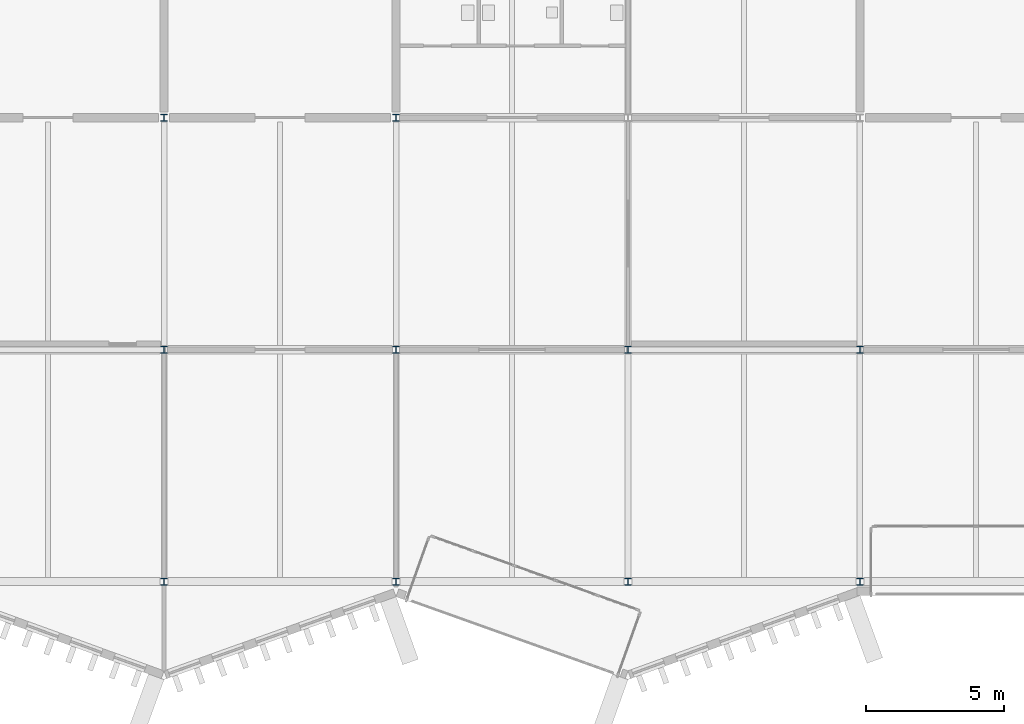
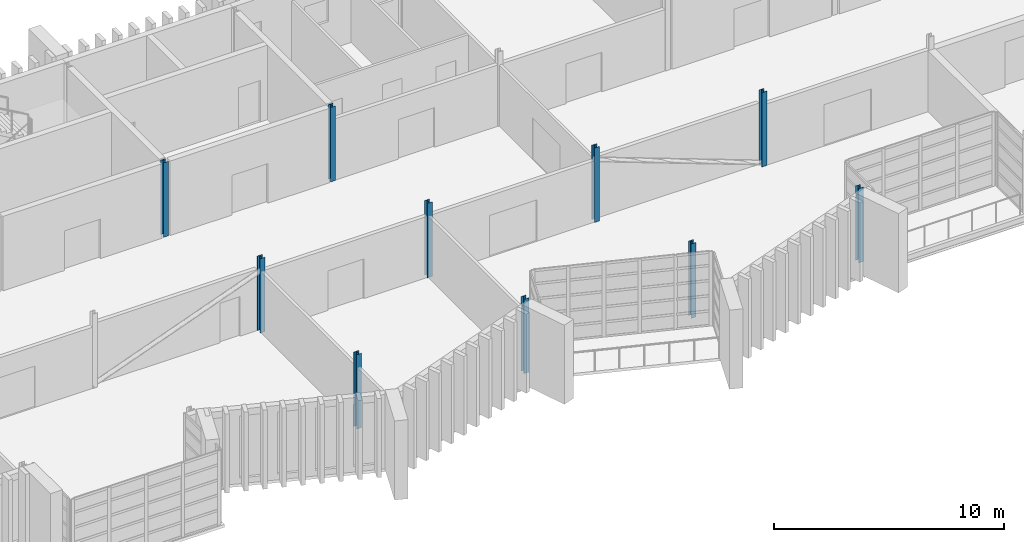
# One storey, part 8 of 88: 10 columns.
"""IFC4 building model written with IfcOpenShell, lengths in metres."""

from ifc_helpers import new_model, si_unit, direction, frame, origin, origin_2d, place, context, subcontext, project, spatial, i_section, extrude, material, material_profile, profile_set, type_object, element, save


model = new_model("IFC4")

# Units and contexts
model_context = context("Model", 3, precision=1e-05, world=origin(), true_north=direction((0.0, 1.0)))
body_context = subcontext(model_context, "Body", "Model", "MODEL_VIEW")
ifc_project = project(units=[si_unit("LENGTHUNIT", "METRE"), si_unit("AREAUNIT", "SQUARE_METRE"), si_unit("VOLUMEUNIT", "CUBIC_METRE"), si_unit("PLANEANGLEUNIT", "RADIAN"), si_unit("MASSUNIT", "GRAM", prefix="KILO")], contexts=[model_context])

# Site, building, storey
site_placement = place(None, origin())
site = spatial("IfcSite", under=ifc_project, at=site_placement, CompositionType="ELEMENT")
building_placement = place(site_placement, origin())
building = spatial("IfcBuilding", under=site, at=building_placement, Name="Cresset Court Congress Hotel", CompositionType="ELEMENT")
storey_placement = place(building_placement, frame((0.0, 0.0, 14.39990234375)))
storey = spatial("IfcBuildingStorey", under=building, at=storey_placement, Name="L03", CompositionType="ELEMENT", Elevation=14.39990234375)

# Columns
ifc_material = material(Name="Structural steel Q355B", Category="steel")
ifc_material_profile = material_profile(ifc_material, i_section(OverallWidth=0.25, OverallDepth=0.25, WebThickness=0.009033203125, FlangeThickness=0.013916015625, FilletRadius=0.012939453125, at=origin_2d()), Name="HW250x250x9x14")
ifc_profile_set = profile_set([ifc_material_profile], Name="Structural steel Q355B")
column_type = type_object("IfcColumnType", Name="Steel column HW250x250x9x14", PredefinedType="COLUMN", material=ifc_profile_set)
for number, where, z_axis, x_axis, name in (
    (1, (109.199951171875, 0.0, 0.0), (0.0, 0.0, 1.0), (1.0, 0.0, 0.0), "B.col.L03.14A"),
    (2, (109.199951171875, 8.39990234375, 0.0), (0.0, 0.0, 1.0), (1.0, 0.0, 0.0), "B.col.L03.14B"),
    (3, (109.199951171875, 16.800048828125, 0.0), (0.0, 0.0, 1.0), (1.0, 0.0, 0.0), "B.col.L03.14C"),
    (4, (117.60009765625, 0.0, 0.0), (0.0, 0.0, 1.0), (1.0, 0.0, 0.0), "B.col.L03.15A"),
    (5, (117.60009765625, 8.39990234375, 0.0), (0.0, 0.0, 1.0), (1.0, 0.0, 0.0), "B.col.L03.15B"),
    (6, (117.60009765625, 16.800048828125, 0.0), (0.0, 0.0, 1.0), (1.0, 0.0, 0.0), "B.col.L03.15C"),
    (7, (126.0, 0.0, 0.0), (0.0, 0.0, 1.0), (1.0, 0.0, 0.0), "B.col.L03.16A"),
    (8, (126.0, 8.39990234375, 0.0), (0.0, 0.0, 1.0), (1.0, 0.0, 0.0), "B.col.L03.16B"),
    (9, (134.39990234375, 0.0, 0.0), (0.0, 0.0, 1.0), (1.0, 0.0, 0.0), "B.col.L03.17A"),
    (10, (134.39990234375, 8.39990234375, 0.0), (0.0, 0.0, 1.0), (1.0, 0.0, 0.0), "B.col.L03.17B"),
):
    element("IfcColumn", number, at=place(storey_placement, frame(where, z_axis=z_axis, x_axis=x_axis)), inside=storey, type_object=column_type, Name=name, PredefinedType="COLUMN", context=body_context, shape_type="SweptSolid", body=[
        extrude(i_section(OverallWidth=0.25, OverallDepth=0.25, WebThickness=0.009033203125, FlangeThickness=0.013916015625, FilletRadius=0.012939453125, at=origin_2d()), origin(), (0.0, 0.0, 1.0), 3.9501953125),
    ])

save(model, "model.ifc")
